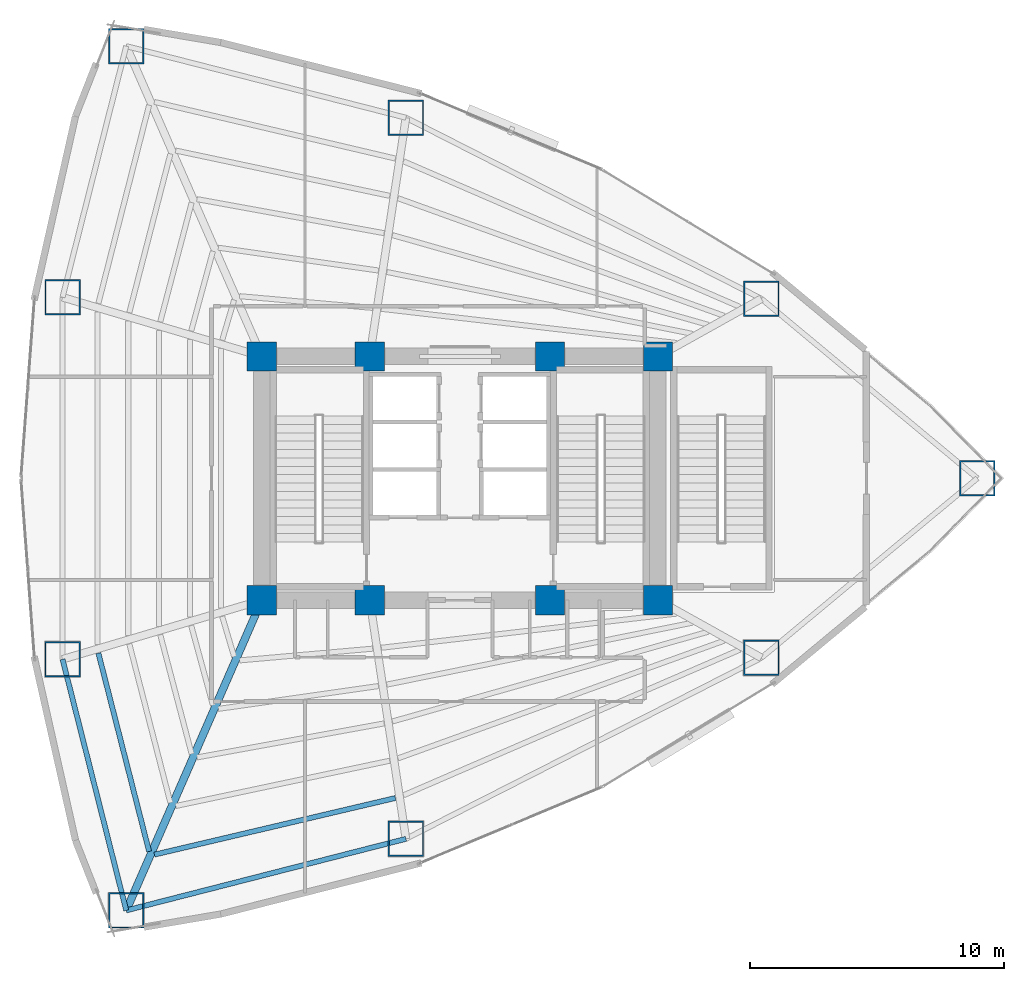
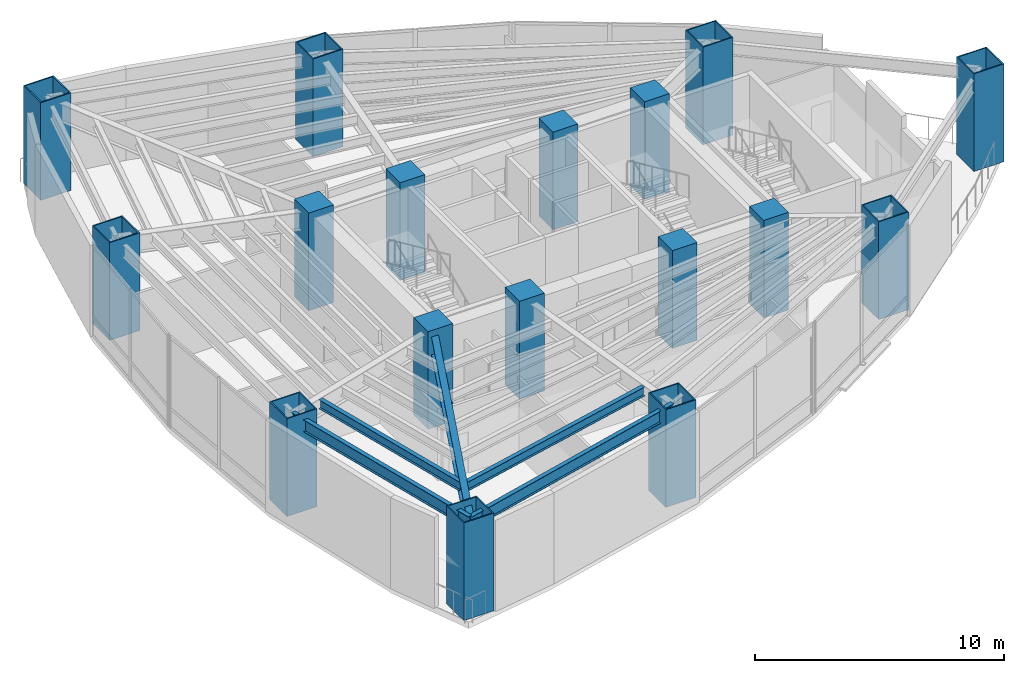
# One storey, part 1 of 18: 17 columns, 5 beams.
"""IFC4 building model written with IfcOpenShell, lengths in metres."""

from ifc_helpers import new_model, si_unit, direction, frame, origin, origin_2d, place, context, subcontext, project, spatial, rectangle, hollow_rectangle, i_section, extrude, material, material_profile, profile_set, type_object, element, save


model = new_model("IFC4")

# Units and contexts
model_context = context("Model", 3, precision=1e-05, world=origin(), true_north=direction((0.0, 1.0)))
body_context = subcontext(model_context, "Body", "Model", "MODEL_VIEW")
ifc_project = project(units=[si_unit("LENGTHUNIT", "METRE"), si_unit("AREAUNIT", "SQUARE_METRE"), si_unit("VOLUMEUNIT", "CUBIC_METRE"), si_unit("PLANEANGLEUNIT", "RADIAN"), si_unit("MASSUNIT", "GRAM", prefix="KILO")], contexts=[model_context])

# Site, building, storey
site_placement = place(None, origin())
site = spatial("IfcSite", under=ifc_project, at=site_placement, CompositionType="ELEMENT")
building_placement = place(site_placement, origin())
building = spatial("IfcBuilding", under=site, at=building_placement, Name="Menara Vayukalpa", CompositionType="ELEMENT")
storey_placement = place(building_placement, frame((0.0, 0.0, 18.0)))
storey = spatial("IfcBuildingStorey", under=building, at=storey_placement, Name="L03", CompositionType="ELEMENT", Elevation=18.0)

# Columns
ifc_material_1 = material(Name="Concrete C80/95", Category="concrete")
ifc_material_profile_1 = material_profile(ifc_material_1, rectangle(XDim=1.14990234375, YDim=1.14990234375, at=origin_2d()), Name="RC 1150x1150")
ifc_profile_set_1 = profile_set([ifc_material_profile_1], Name="Concrete C80/95")
column_type_1 = type_object("IfcColumnType", Name="COL-CC1", PredefinedType="COLUMN", material=ifc_profile_set_1)
for number, where, z_axis, x_axis, name in (
    (1, (17.800048828125, 17.199951171875, 0.0), (0.0, 0.0, 1.0), (1.0, 0.0, 0.0), "L03 Core Pilaster Column CC1"),
    (2, (22.050048828125, 17.199951171875, 0.0), (0.0, 0.0, 1.0), (1.0, 0.0, 0.0), "L03 Core Pilaster Column CC2"),
    (3, (29.14990234375, 17.199951171875, 0.0), (0.0, 0.0, 1.0), (1.0, 0.0, 0.0), "L03 Core Pilaster Column CC3"),
    (4, (33.39990234375, 17.199951171875, 0.0), (0.0, 0.0, 1.0), (1.0, 0.0, 0.0), "L03 Core Pilaster Column CC4"),
    (5, (17.800048828125, 26.800048828125, 0.0), (0.0, 0.0, 1.0), (1.0, 0.0, 0.0), "L03 Core Pilaster Column CC5"),
    (6, (22.050048828125, 26.800048828125, 0.0), (0.0, 0.0, 1.0), (1.0, 0.0, 0.0), "L03 Core Pilaster Column CC6"),
    (7, (29.14990234375, 26.800048828125, 0.0), (0.0, 0.0, 1.0), (1.0, 0.0, 0.0), "L03 Core Pilaster Column CC7"),
    (8, (33.39990234375, 26.800048828125, 0.0), (0.0, 0.0, 1.0), (1.0, 0.0, 0.0), "L03 Core Pilaster Column CC8"),
):
    element("IfcColumn", number, at=place(storey_placement, frame(where, z_axis=z_axis, x_axis=x_axis)), inside=storey, type_object=column_type_1, Name=name, PredefinedType="COLUMN", context=body_context, shape_type="SweptSolid", body=[
        extrude(rectangle(XDim=1.14990234375, YDim=1.14990234375, at=origin_2d()), origin(), (0.0, 0.0, 1.0), 4.800048828125),
    ])
ifc_material_2 = material(Name="Steel S460", Category="steel")
ifc_material_profile_2 = material_profile(ifc_material_2, hollow_rectangle(XDim=1.39990234375, YDim=1.39990234375, WallThickness=0.054931640625, at=origin_2d()), Name="BOX 1400x1400x55")
ifc_profile_set_2 = profile_set([ifc_material_profile_2], Name="Steel S460")
column_type_2 = type_object("IfcColumnType", Name="COL-MC1", PredefinedType="COLUMN", material=ifc_profile_set_2)
for number, where, z_axis, x_axis, name in (
    (9, (45.979248046875, 22.0, 0.0), (0.0, 0.0, 1.0), (1.0, 0.0, 0.0), "L03 Perimeter Mega Column P01"),
    (10, (37.47412109375, 29.07080078125, 0.0), (0.0, 0.0, 1.0), (1.0, 0.0, 0.0), "L03 Perimeter Mega Column P02"),
    (11, (23.4755859375, 36.19970703125, 0.0), (0.0, 0.0, 1.0), (1.0, 0.0, 0.0), "L03 Perimeter Mega Column P03"),
    (12, (12.46044921875, 39.01904296875, 0.0), (0.0, 0.0, 1.0), (1.0, 0.0, 0.0), "L03 Perimeter Mega Column P04"),
    (13, (9.951904296875, 29.12890625, 0.0), (0.0, 0.0, 1.0), (1.0, 0.0, 0.0), "L03 Perimeter Mega Column P05"),
    (14, (9.951904296875, 14.87109375, 0.0), (0.0, 0.0, 1.0), (1.0, 0.0, 0.0), "L03 Perimeter Mega Column P06"),
    (15, (12.46044921875, 4.98095703125, 0.0), (0.0, 0.0, 1.0), (1.0, 0.0, 0.0), "L03 Perimeter Mega Column P07"),
    (16, (23.4755859375, 7.80029296875, 0.0), (0.0, 0.0, 1.0), (1.0, 0.0, 0.0), "L03 Perimeter Mega Column P08"),
    (17, (37.47412109375, 14.92919921875, 0.0), (0.0, 0.0, 1.0), (1.0, 0.0, 0.0), "L03 Perimeter Mega Column P09"),
):
    element("IfcColumn", number, at=place(storey_placement, frame(where, z_axis=z_axis, x_axis=x_axis)), inside=storey, type_object=column_type_2, Name=name, PredefinedType="COLUMN", context=body_context, shape_type="SweptSolid", body=[
        extrude(hollow_rectangle(XDim=1.39990234375, YDim=1.39990234375, WallThickness=0.054931640625, at=origin_2d()), origin(), (0.0, 0.0, 1.0), 4.800048828125),
    ])

# Beams
ifc_material_3 = material(Name="Steel S355", Category="steel")
ifc_material_profile_3 = material_profile(ifc_material_3, i_section(OverallWidth=0.300048828125, OverallDepth=0.89990234375, WebThickness=0.01611328125, FlangeThickness=0.028076171875, at=origin_2d()), Name="WF 900x300x16x28")
ifc_profile_set_3 = profile_set([ifc_material_profile_3], Name="Steel S355")
beam_type_1 = type_object("IfcBeamType", Name="BM-PG1", PredefinedType="BEAM", material=ifc_profile_set_3)
beam_1_placement = place(storey_placement, frame((17.699951171875, 16.970947265625, 4.030029296875), z_axis=(-0.400426299501, -0.916328968585, 0.0), x_axis=(0.916328968585, -0.400426299501, 0.0)))
element("IfcBeam", 18, at=beam_1_placement, inside=storey, type_object=beam_type_1, Name="L03 Primary Radial Girder RG07", PredefinedType="BEAM", context=body_context, shape_type="SweptSolid", body=[
    extrude(i_section(OverallWidth=0.300048828125, OverallDepth=0.89990234375, WebThickness=0.01611328125, FlangeThickness=0.028076171875, at=origin_2d()), origin(), (0.0, 0.0, 1.0), 13.084716796875),
])
ifc_material_4 = material(Name="Steel S355", Category="steel")
ifc_material_profile_4 = material_profile(ifc_material_4, i_section(OverallWidth=0.199951171875, OverallDepth=0.449951171875, WebThickness=0.009033203125, FlangeThickness=0.013916015625, at=origin_2d()), Name="WF 450x200x9x14")
ifc_profile_set_4 = profile_set([ifc_material_profile_4], Name="Steel S355")
beam_type_2 = type_object("IfcBeamType", Name="BM-SJ1", PredefinedType="JOIST", material=ifc_profile_set_4)
beam_2_placement = place(storey_placement, frame((11.363525390625, 15.11279296875, 4.2548828125), z_axis=(0.247855728428, -0.9687969539, 0.0), x_axis=(0.9687969539, 0.247855728428, 0.0)))
element("IfcBeam", 19, at=beam_2_placement, inside=storey, type_object=beam_type_2, Name="L03 Secondary Floor Joist SJ06-5", PredefinedType="JOIST", context=body_context, shape_type="SweptSolid", body=[
    extrude(i_section(OverallWidth=0.199951171875, OverallDepth=0.449951171875, WebThickness=0.009033203125, FlangeThickness=0.013916015625, at=origin_2d()), origin(), (0.0, 0.0, 1.0), 8.060302734375),
])
beam_3_placement = place(storey_placement, frame((13.569091796875, 7.177978515625, 4.2548828125), z_axis=(0.973474607698, 0.228795078983, 0.0), x_axis=(-0.228795078983, 0.973474607698, 0.0)))
element("IfcBeam", 20, at=beam_3_placement, inside=storey, type_object=beam_type_2, Name="L03 Secondary Floor Joist SJ07-5", PredefinedType="JOIST", context=body_context, shape_type="SweptSolid", body=[
    extrude(i_section(OverallWidth=0.199951171875, OverallDepth=0.449951171875, WebThickness=0.009033203125, FlangeThickness=0.013916015625, at=origin_2d()), origin(), (0.0, 0.0, 1.0), 9.749755859375),
])
ifc_material_5 = material(Name="Steel S355", Category="steel")
ifc_material_profile_5 = material_profile(ifc_material_5, i_section(OverallWidth=0.199951171875, OverallDepth=0.60009765625, WebThickness=0.010986328125, FlangeThickness=0.01708984375, at=origin_2d()), Name="WF 600x200x11x17")
ifc_profile_set_5 = profile_set([ifc_material_profile_5], Name="Steel S355")
beam_type_3 = type_object("IfcBeamType", Name="BM-SP1", PredefinedType="SPANDREL", material=ifc_profile_set_5)
beam_4_placement = place(storey_placement, frame((9.951904296875, 14.87109375, 4.179931640625), z_axis=(0.24585591488, -0.969306385576, 0.0), x_axis=(0.969306385576, 0.24585591488, 0.0)))
element("IfcBeam", 21, at=beam_4_placement, inside=storey, type_object=beam_type_3, Name="L03 Perimeter Spandrel Beam SP06", PredefinedType="SPANDREL", context=body_context, shape_type="SweptSolid", body=[
    extrude(i_section(OverallWidth=0.199951171875, OverallDepth=0.60009765625, WebThickness=0.010986328125, FlangeThickness=0.01708984375, at=origin_2d()), origin(), (0.0, 0.0, 1.0), 10.203369140625),
])
beam_5_placement = place(storey_placement, frame((12.46044921875, 4.98095703125, 4.179931640625), z_axis=(0.968770804637, 0.247957915953, 0.0), x_axis=(-0.247957915953, 0.968770804637, 0.0)))
element("IfcBeam", 22, at=beam_5_placement, inside=storey, type_object=beam_type_3, Name="L03 Perimeter Spandrel Beam SP07", PredefinedType="SPANDREL", context=body_context, shape_type="SweptSolid", body=[
    extrude(i_section(OverallWidth=0.199951171875, OverallDepth=0.60009765625, WebThickness=0.010986328125, FlangeThickness=0.01708984375, at=origin_2d()), origin(), (0.0, 0.0, 1.0), 11.3701171875),
])

save(model, "model.ifc")
